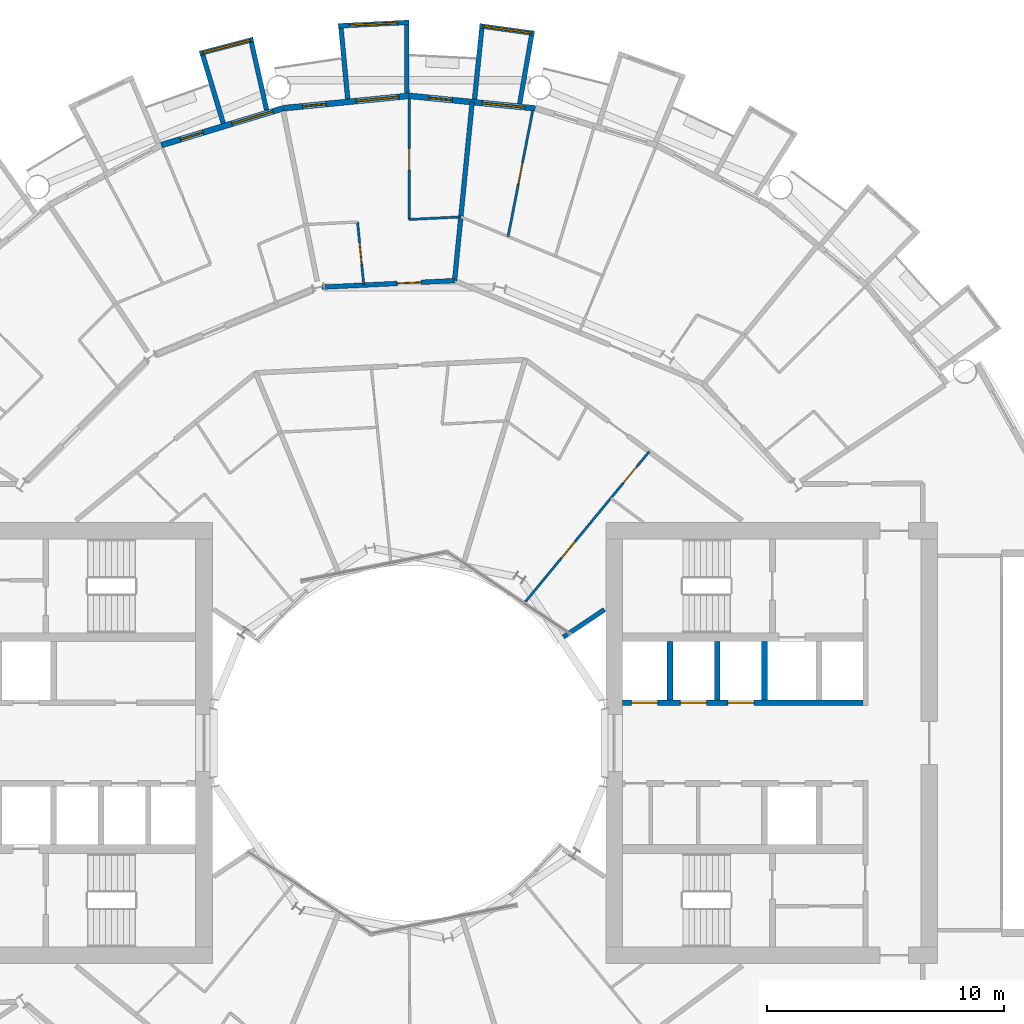
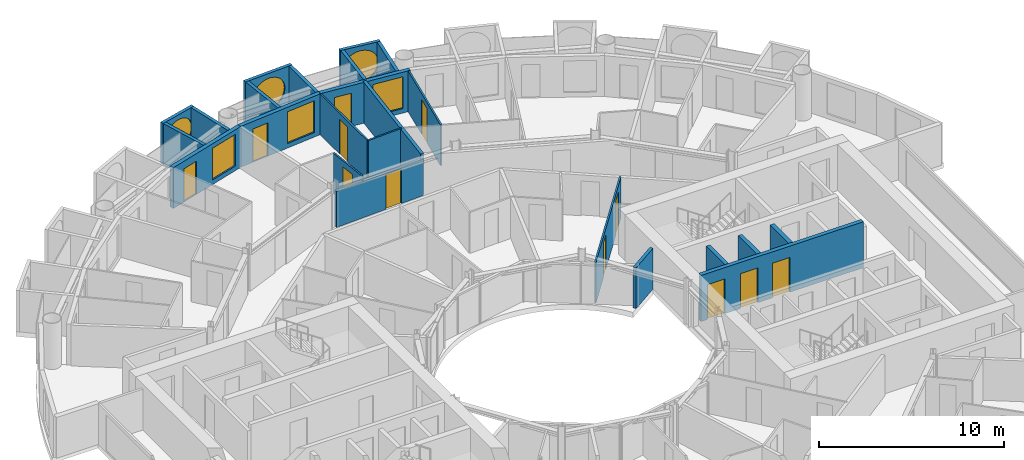
# One storey, part 20 of 26: 24 walls, 12 doors, 6 windows, 18 openings.
"""IFC4 building model written with IfcOpenShell, lengths in metres."""

from ifc_helpers import new_model, si_unit, direction, frame, frame_2d, origin, place, context, subcontext, project, spatial, rectangle, circle, extrude, material, layer, layer_set, type_object, element, fill, save


model = new_model("IFC4")

# Units and contexts
model_context = context("Model", 3, precision=1e-05, world=origin(), true_north=direction((0.0, 1.0)))
body_context = subcontext(model_context, "Body", "Model", "MODEL_VIEW")
ifc_project = project(units=[si_unit("LENGTHUNIT", "METRE"), si_unit("AREAUNIT", "SQUARE_METRE"), si_unit("VOLUMEUNIT", "CUBIC_METRE"), si_unit("PLANEANGLEUNIT", "RADIAN"), si_unit("MASSUNIT", "GRAM", prefix="KILO")], contexts=[model_context])

# Site, building, storey
site_placement = place(None, origin())
site = spatial("IfcSite", under=ifc_project, at=site_placement, CompositionType="ELEMENT")
building_placement = place(site_placement, origin())
building = spatial("IfcBuilding", under=site, at=building_placement, Name="Maasbend Ring Residences", CompositionType="ELEMENT")
storey_placement = place(building_placement, frame((0.0, 0.0, 72.75)))
storey = spatial("IfcBuildingStorey", under=building, at=storey_placement, Name="L20", CompositionType="ELEMENT", Elevation=72.75)

# Wall, openings, doors
ifc_material_1 = material(Name="Concrete C70/85", Category="concrete")
ifc_layer_1 = layer(ifc_material_1, 0.25)
ifc_layer_set_1 = layer_set([ifc_layer_1], Name="Concrete C70/85")
wall_type_1 = type_object("IfcWallType", Name="CORE WALL 250 C70/85", PredefinedType="SHEAR", material=ifc_layer_set_1)
wall_1_placement = place(storey_placement, frame((9.0, 1.699951171875, 0.0), z_axis=(0.0, 0.0, 1.0), x_axis=(1.0, 0.0, 0.0)))
wall_1 = element("IfcWall", 1, at=wall_1_placement, inside=storey, type_object=wall_type_1, Name="L20 core E wall SPN", PredefinedType="SHEAR", context=body_context, shape_type="SweptSolid", body=[
    extrude(rectangle(XDim=10.14990234375, YDim=0.25, at=frame_2d((5.074951171875, 0.0))), origin(), (0.0, 0.0, 1.0), 3.050048828125),
])
opening_1_placement = place(wall_1_placement, frame((0.387451171875, 0.0, 0.0)))
opening_1 = element("IfcOpeningElement", 2, at=opening_1_placement, cuts=wall_1, Name="Opening LD-E2001", PredefinedType="OPENING", context=body_context, shape_type="SweptSolid", body=[
    extrude(rectangle(XDim=1.10009765625, YDim=2.300048828125, at=frame_2d((0.550048828125, 1.14990234375))), frame((0.0, 0.135009765625, 0.0), z_axis=(0.0, -1.0, 0.0), x_axis=(1.0, 0.0, 0.0)), (0.0, 0.0, 1.0), 0.27001953125),
])
opening_2_placement = place(wall_1_placement, frame((2.449951171875, 0.0, 0.0)))
opening_2 = element("IfcOpeningElement", 3, at=opening_2_placement, cuts=wall_1, Name="Opening LD-E2002", PredefinedType="OPENING", context=body_context, shape_type="SweptSolid", body=[
    extrude(rectangle(XDim=1.10009765625, YDim=2.300048828125, at=frame_2d((0.550048828125, 1.14990234375))), frame((0.0, 0.135009765625, 0.0), z_axis=(0.0, -1.0, 0.0), x_axis=(1.0, 0.0, 0.0)), (0.0, 0.0, 1.0), 0.27001953125),
])
opening_3_placement = place(wall_1_placement, frame((4.449951171875, 0.0, 0.0)))
opening_3 = element("IfcOpeningElement", 4, at=opening_3_placement, cuts=wall_1, Name="Opening LD-E2003", PredefinedType="OPENING", context=body_context, shape_type="SweptSolid", body=[
    extrude(rectangle(XDim=1.10009765625, YDim=2.300048828125, at=frame_2d((0.550048828125, 1.14990234375))), frame((0.0, 0.135009765625, 0.0), z_axis=(0.0, -1.0, 0.0), x_axis=(1.0, 0.0, 0.0)), (0.0, 0.0, 1.0), 0.27001953125),
])
ifc_material_2 = material(Name="Stainless steel 316", Category="steel")
door_type_1 = type_object("IfcDoorType", Name="LANDING DOOR 1100 X 2300 FD60", OperationType="DOUBLE_DOOR_SLIDING", PredefinedType="DOOR", material=ifc_material_2)
door_1_placement = place(opening_1_placement, origin())
door_1 = element("IfcDoor", 5, at=door_1_placement, inside=storey, type_object=door_type_1, Name="Landing door LR-E1 L20", OperationType="DOUBLE_DOOR_SLIDING", OverallHeight=2.300048828125, OverallWidth=1.10009765625, PredefinedType="DOOR", context=body_context, shape_type="SweptSolid", body=[
    extrude(rectangle(XDim=1.10009765625, YDim=2.300048828125, at=frame_2d((0.550048828125, 1.14990234375))), frame((0.0, 0.02490234375, 0.0), z_axis=(0.0, -1.0, 0.0), x_axis=(1.0, 0.0, 0.0)), (0.0, 0.0, 1.0), 0.050048828125),
])
fill(opening_1, door_1)
door_2_placement = place(opening_2_placement, origin())
door_2 = element("IfcDoor", 6, at=door_2_placement, inside=storey, type_object=door_type_1, Name="Landing door LR-E2 L20", OperationType="DOUBLE_DOOR_SLIDING", OverallHeight=2.300048828125, OverallWidth=1.10009765625, PredefinedType="DOOR", context=body_context, shape_type="SweptSolid", body=[
    extrude(rectangle(XDim=1.10009765625, YDim=2.300048828125, at=frame_2d((0.550048828125, 1.14990234375))), frame((0.0, 0.02490234375, 0.0), z_axis=(0.0, -1.0, 0.0), x_axis=(1.0, 0.0, 0.0)), (0.0, 0.0, 1.0), 0.050048828125),
])
fill(opening_2, door_2)
door_3_placement = place(opening_3_placement, origin())
door_3 = element("IfcDoor", 7, at=door_3_placement, inside=storey, type_object=door_type_1, Name="Landing door LR-E3 L20", OperationType="DOUBLE_DOOR_SLIDING", OverallHeight=2.300048828125, OverallWidth=1.10009765625, PredefinedType="DOOR", context=body_context, shape_type="SweptSolid", body=[
    extrude(rectangle(XDim=1.10009765625, YDim=2.300048828125, at=frame_2d((0.550048828125, 1.14990234375))), frame((0.0, 0.02490234375, 0.0), z_axis=(0.0, -1.0, 0.0), x_axis=(1.0, 0.0, 0.0)), (0.0, 0.0, 1.0), 0.050048828125),
])
fill(opening_3, door_3)

# Wall, opening, door
ifc_material_3 = material(Name="Concrete C30/37", Category="concrete")
ifc_layer_2 = layer(ifc_material_3, 0.199951171875)
ifc_layer_set_2 = layer_set([ifc_layer_2], Name="Concrete C30/37")
wall_type_2 = type_object("IfcWallType", Name="CORRIDOR WALL 200 CONCRETE", PredefinedType="PARTITIONING", material=ifc_layer_set_2)
wall_2_placement = place(storey_placement, frame((-3.6689453125, 19.23095703125, 0.0), z_axis=(0.0, 0.0, 1.0), x_axis=(0.998803644396, 0.048900715146, 0.0)))
wall_2 = element("IfcWall", 8, at=wall_2_placement, inside=storey, type_object=wall_type_2, Name="U-L20-w101", PredefinedType="PARTITIONING", context=body_context, shape_type="SweptSolid", body=[
    extrude(rectangle(XDim=5.6015625, YDim=0.199951171875, at=frame_2d((2.80078125, 0.0))), origin(), (0.0, 0.0, 1.0), 2.3798828125),
])
opening_4_placement = place(wall_2_placement, frame((3.178955078125, 0.0, 0.0)))
opening_4 = element("IfcOpeningElement", 9, at=opening_4_placement, cuts=wall_2, Name="Opening D-2010", PredefinedType="OPENING", context=body_context, shape_type="SweptSolid", body=[
    extrude(rectangle(XDim=1.0, YDim=2.300048828125, at=frame_2d((0.5, 1.14990234375))), frame((0.0, 0.10986328125, 0.0), z_axis=(0.0, -1.0, 0.0), x_axis=(1.0, 0.0, 0.0)), (0.0, 0.0, 1.0), 0.219970703125),
])
ifc_material_4 = material(Name="Timber, fire-rated, painted", Category="wood")
door_type_2 = type_object("IfcDoorType", Name="FLAT ENTRANCE DOOR 1000 X 2300 FIRE-RATED", OperationType="NOTDEFINED", PredefinedType="DOOR", material=ifc_material_4)
door_4_placement = place(opening_4_placement, origin())
door_4 = element("IfcDoor", 10, at=door_4_placement, inside=storey, type_object=door_type_2, Name="D-2010", OperationType="SINGLE_SWING_RIGHT", OverallHeight=2.300048828125, OverallWidth=1.0, PredefinedType="DOOR", context=body_context, shape_type="SweptSolid", body=[
    extrude(rectangle(XDim=1.0, YDim=2.300048828125, at=frame_2d((0.5, 1.14990234375))), frame((0.0, 0.02490234375, 0.0), z_axis=(0.0, -1.0, 0.0), x_axis=(1.0, 0.0, 0.0)), (0.0, 0.0, 1.0), 0.050048828125),
])
fill(opening_4, door_4)

# Wall, opening, window
ifc_material_5 = material(Name="Pale anodised aluminium panel", Category="aluminium")
ifc_layer_3 = layer(ifc_material_5, 0.199951171875)
ifc_layer_set_3 = layer_set([ifc_layer_3], Name="EW-BOX")
wall_type_3 = type_object("IfcWallType", Name="EW-BOX", PredefinedType="SOLIDWALL", material=ifc_layer_set_3)
wall_3_placement = place(storey_placement, frame((5.2900390625, 29.93603515625, -0.030029296875), z_axis=(0.0, 0.0, 1.0), x_axis=(-0.990696111261, 0.136092671119, 0.0)))
wall_3 = element("IfcWall", 11, at=wall_3_placement, inside=storey, type_object=wall_type_3, Name="Box front N09", PredefinedType="SOLIDWALL", context=body_context, shape_type="SweptSolid", body=[
    extrude(rectangle(XDim=2.335693359375, YDim=0.199951171875, at=frame_2d((1.16796875, 0.0))), origin(), (0.0, 0.0, 1.0), 2.72998046875),
])
opening_5_placement = place(wall_3_placement, frame((0.128173828125, 0.0, 0.330078125)))
opening_5 = element("IfcOpeningElement", 12, at=opening_5_placement, cuts=wall_3, Name="Opening W-RD", PredefinedType="OPENING", context=body_context, shape_type="SweptSolid", body=[
    extrude(circle(Radius=1.0400390625, at=frame_2d((1.0400390625, 1.0400390625))), frame((0.0, 0.10986328125, 0.0), z_axis=(0.0, -1.0, 0.0), x_axis=(1.0, 0.0, 0.0)), (0.0, 0.0, 1.0), 0.219970703125),
])
ifc_material_6 = material(Name="Aluminium and clear glass", Category="aluminium")
window_type_1 = type_object("IfcWindowType", Name="W-RD", PartitioningType="SINGLE_PANEL", PredefinedType="WINDOW", material=ifc_material_6)
window_1_placement = place(opening_5_placement, origin())
window_1 = element("IfcWindow", 13, at=window_1_placement, inside=storey, type_object=window_type_1, Name="Round window N09", OverallHeight=2.080078125, OverallWidth=2.080078125, PartitioningType="SINGLE_PANEL", PredefinedType="WINDOW", context=body_context, shape_type="SweptSolid", body=[
    extrude(circle(Radius=1.0400390625, at=frame_2d((1.0400390625, 1.0400390625))), frame((0.0, 0.030029296875, 0.0), z_axis=(0.0, -1.0, 0.0), x_axis=(1.0, 0.0, 0.0)), (0.0, 0.0, 1.0), 0.06005859375),
])
fill(opening_5, window_1)

# Walls
wall_4_placement = place(storey_placement, frame((4.6708984375, 26.966064453125, -0.030029296875), z_axis=(0.0, 0.0, 1.0), x_axis=(0.170539878907, 0.985350774954, 0.0)))
element("IfcWall", 14, at=wall_4_placement, inside=storey, type_object=wall_type_3, Name="Box side wall N09 left", PredefinedType="SOLIDWALL", context=body_context, shape_type="SweptSolid", body=[
    extrude(rectangle(XDim=2.931884765625, YDim=0.199951171875, at=frame_2d((1.4658203125, 0.0))), origin(), (0.0, 0.0, 1.0), 2.72998046875),
])
wall_5_placement = place(storey_placement, frame((2.763916015625, 27.153076171875, -0.030029296875), z_axis=(0.0, 0.0, 1.0), x_axis=(0.101505487237, 0.994834979311, 0.0)))
element("IfcWall", 15, at=wall_5_placement, inside=storey, type_object=wall_type_3, Name="Box side wall N09 right", PredefinedType="SOLIDWALL", context=body_context, shape_type="SweptSolid", body=[
    extrude(rectangle(XDim=3.006591796875, YDim=0.199951171875, at=frame_2d((1.50341796875, 0.0))), origin(), (0.0, 0.0, 1.0), 2.72998046875),
])

# Wall, opening, window
wall_6_placement = place(storey_placement, frame((0.0048828125, 30.39990234375, -0.030029296875), z_axis=(0.0, 0.0, 1.0), x_axis=(-0.998794083011, -0.049095618353, 0.0)))
wall_6 = element("IfcWall", 16, at=wall_6_placement, inside=storey, type_object=wall_type_3, Name="Box front N11", PredefinedType="SOLIDWALL", context=body_context, shape_type="SweptSolid", body=[
    extrude(rectangle(XDim=2.99365234375, YDim=0.199951171875, at=frame_2d((1.496826171875, 0.0))), origin(), (0.0, 0.0, 1.0), 2.72998046875),
])
opening_6_placement = place(wall_6_placement, frame((0.45654296875, 0.0, 0.330078125)))
opening_6 = element("IfcOpeningElement", 17, at=opening_6_placement, cuts=wall_6, Name="Opening W-RD", PredefinedType="OPENING", context=body_context, shape_type="SweptSolid", body=[
    extrude(circle(Radius=1.0400390625, at=frame_2d((1.0400390625, 1.0400390625))), frame((0.0, 0.10986328125, 0.0), z_axis=(0.0, -1.0, 0.0), x_axis=(1.0, 0.0, 0.0)), (0.0, 0.0, 1.0), 0.219970703125),
])
window_2_placement = place(opening_6_placement, origin())
window_2 = element("IfcWindow", 18, at=window_2_placement, inside=storey, type_object=window_type_1, Name="Round window N11", OverallHeight=2.080078125, OverallWidth=2.080078125, PartitioningType="SINGLE_PANEL", PredefinedType="WINDOW", context=body_context, shape_type="SweptSolid", body=[
    extrude(circle(Radius=1.0400390625, at=frame_2d((1.0400390625, 1.0400390625))), frame((0.0, 0.030029296875, 0.0), z_axis=(0.0, -1.0, 0.0), x_axis=(1.0, 0.0, 0.0)), (0.0, 0.0, 1.0), 0.06005859375),
])
fill(opening_6, window_2)

# Walls
wall_7_placement = place(storey_placement, frame((-0.090087890625, 27.4169921875, -0.030029296875), z_axis=(0.0, 0.0, 1.0), x_axis=(-0.00347308367, 0.999993968827, 0.0)))
element("IfcWall", 19, at=wall_7_placement, inside=storey, type_object=wall_type_3, Name="Box side wall N11 left", PredefinedType="SOLIDWALL", context=body_context, shape_type="SweptSolid", body=[
    extrude(rectangle(XDim=2.882080078125, YDim=0.199951171875, at=frame_2d((1.44091796875, 0.0))), origin(), (0.0, 0.0, 1.0), 2.72998046875),
])
wall_8_placement = place(storey_placement, frame((-2.5859375, 27.1708984375, -0.030029296875), z_axis=(0.0, 0.0, 1.0), x_axis=(-0.094548432284, 0.995520262954, 0.0)))
element("IfcWall", 20, at=wall_8_placement, inside=storey, type_object=wall_type_3, Name="Box side wall N11 right", PredefinedType="SOLIDWALL", context=body_context, shape_type="SweptSolid", body=[
    extrude(rectangle(XDim=3.005615234375, YDim=0.199951171875, at=frame_2d((1.5029296875, 0.0))), origin(), (0.0, 0.0, 1.0), 2.72998046875),
])

# Wall, opening, window
wall_9_placement = place(storey_placement, frame((-6.568115234375, 29.681884765625, -0.030029296875), z_axis=(0.0, 0.0, 1.0), x_axis=(-0.967377102346, -0.253340762326, 0.0)))
wall_9 = element("IfcWall", 21, at=wall_9_placement, inside=storey, type_object=wall_type_3, Name="Box front N13", PredefinedType="SOLIDWALL", context=body_context, shape_type="SweptSolid", body=[
    extrude(rectangle(XDim=2.3359375, YDim=0.199951171875, at=frame_2d((1.16796875, 0.0))), origin(), (0.0, 0.0, 1.0), 2.72998046875),
])
opening_7_placement = place(wall_9_placement, frame((0.128173828125, 0.0, 0.330078125)))
opening_7 = element("IfcOpeningElement", 22, at=opening_7_placement, cuts=wall_9, Name="Opening W-RD", PredefinedType="OPENING", context=body_context, shape_type="SweptSolid", body=[
    extrude(circle(Radius=1.0400390625, at=frame_2d((1.0400390625, 1.0400390625))), frame((0.0, 0.10986328125, 0.0), z_axis=(0.0, -1.0, 0.0), x_axis=(1.0, 0.0, 0.0)), (0.0, 0.0, 1.0), 0.219970703125),
])
window_3_placement = place(opening_7_placement, origin())
window_3 = element("IfcWindow", 23, at=window_3_placement, inside=storey, type_object=window_type_1, Name="Round window N13", OverallHeight=2.080078125, OverallWidth=2.080078125, PartitioningType="SINGLE_PANEL", PredefinedType="WINDOW", context=body_context, shape_type="SweptSolid", body=[
    extrude(circle(Radius=1.0400390625, at=frame_2d((1.0400390625, 1.0400390625))), frame((0.0, 0.030029296875, 0.0), z_axis=(0.0, -1.0, 0.0), x_axis=(1.0, 0.0, 0.0)), (0.0, 0.0, 1.0), 0.06005859375),
])
fill(opening_7, window_3)

# Walls
wall_10_placement = place(storey_placement, frame((-6.00390625, 26.699951171875, -0.030029296875), z_axis=(0.0, 0.0, 1.0), x_axis=(-0.219609259383, 0.975587911566, 0.0)))
element("IfcWall", 24, at=wall_10_placement, inside=storey, type_object=wall_type_3, Name="Box side wall N13 left", PredefinedType="SOLIDWALL", context=body_context, shape_type="SweptSolid", body=[
    extrude(rectangle(XDim=2.9326171875, YDim=0.199951171875, at=frame_2d((1.46630859375, 0.0))), origin(), (0.0, 0.0, 1.0), 2.72998046875),
])
wall_11_placement = place(storey_placement, frame((-7.8369140625, 26.14404296875, -0.030029296875), z_axis=(0.0, 0.0, 1.0), x_axis=(-0.287064767992, 0.957911174889, 0.0)))
element("IfcWall", 25, at=wall_11_placement, inside=storey, type_object=wall_type_3, Name="Box side wall N13 right", PredefinedType="SOLIDWALL", context=body_context, shape_type="SweptSolid", body=[
    extrude(rectangle(XDim=3.00634765625, YDim=0.199951171875, at=frame_2d((1.503173828125, 0.0))), origin(), (0.0, 0.0, 1.0), 2.72998046875),
])

# Wall, openings, door, window
ifc_material_7 = material(Name="Aluminium clad insulated panel", Category="aluminium")
ifc_layer_4 = layer(ifc_material_7, 0.25)
ifc_layer_set_4 = layer_set([ifc_layer_4], Name="EW-GL")
wall_type_4 = type_object("IfcWallType", Name="EW-GL", PredefinedType="SOLIDWALL", material=ifc_layer_set_4)
wall_12_placement = place(storey_placement, frame((5.325927734375, 26.77490234375, 0.0), z_axis=(0.0, 0.0, 1.0), x_axis=(-0.995173996315, 0.098126026407, 0.0)))
wall_12 = element("IfcWall", 26, at=wall_12_placement, inside=storey, type_object=wall_type_4, Name="External wall N05", PredefinedType="SOLIDWALL", context=body_context, shape_type="SweptSolid", body=[
    extrude(rectangle(XDim=5.351806640625, YDim=0.25, at=frame_2d((2.67578125, 0.0))), origin(), (0.0, 0.0, 1.0), 2.699951171875),
])
opening_8_placement = place(wall_12_placement, frame((0.441162109375, 0.0, 0.300048828125)))
opening_8 = element("IfcOpeningElement", 27, at=opening_8_placement, cuts=wall_12, Name="Opening W-BX", PredefinedType="OPENING", context=body_context, shape_type="SweptSolid", body=[
    extrude(rectangle(XDim=1.800048828125, YDim=2.10009765625, at=frame_2d((0.89990234375, 1.050048828125))), frame((0.0, 0.135009765625, 0.0), z_axis=(0.0, -1.0, 0.0), x_axis=(1.0, 0.0, 0.0)), (0.0, 0.0, 1.0), 0.27001953125),
])
opening_9_placement = place(wall_12_placement, frame((3.510498046875, 0.0, 0.0)))
opening_9 = element("IfcOpeningElement", 28, at=opening_9_placement, cuts=wall_12, Name="Opening D-LG", PredefinedType="OPENING", context=body_context, shape_type="SweptSolid", body=[
    extrude(rectangle(XDim=1.0, YDim=2.199951171875, at=frame_2d((0.5, 1.10009765625))), frame((0.0, 0.135009765625, 0.0), z_axis=(0.0, -1.0, 0.0), x_axis=(1.0, 0.0, 0.0)), (0.0, 0.0, 1.0), 0.27001953125),
])
ifc_material_8 = material(Name="Aluminium and clear glass", Category="aluminium")
door_type_3 = type_object("IfcDoorType", Name="D-LG", OperationType="SINGLE_SWING_LEFT", PredefinedType="DOOR", material=ifc_material_8)
door_5_placement = place(opening_9_placement, origin())
door_5 = element("IfcDoor", 29, at=door_5_placement, inside=storey, type_object=door_type_3, Name="Loggia door N10", OperationType="SINGLE_SWING_LEFT", OverallHeight=2.199951171875, OverallWidth=1.0, PredefinedType="DOOR", context=body_context, shape_type="SweptSolid", body=[
    extrude(rectangle(XDim=1.0, YDim=2.199951171875, at=frame_2d((0.5, 1.10009765625))), frame((0.0, 0.02490234375, 0.0), z_axis=(0.0, -1.0, 0.0), x_axis=(1.0, 0.0, 0.0)), (0.0, 0.0, 1.0), 0.050048828125),
])
fill(opening_9, door_5)
ifc_material_9 = material(Name="Aluminium and clear glass", Category="aluminium")
window_type_2 = type_object("IfcWindowType", Name="W-BX", PartitioningType="DOUBLE_PANEL_VERTICAL", PredefinedType="WINDOW", material=ifc_material_9)
window_4_placement = place(opening_8_placement, origin())
window_4 = element("IfcWindow", 30, at=window_4_placement, inside=storey, type_object=window_type_2, Name="Window N09 room to box", OverallHeight=2.10009765625, OverallWidth=1.800048828125, PartitioningType="SINGLE_PANEL", PredefinedType="WINDOW", context=body_context, shape_type="SweptSolid", body=[
    extrude(rectangle(XDim=1.800048828125, YDim=2.10009765625, at=frame_2d((0.89990234375, 1.050048828125))), frame((0.0, 0.030029296875, 0.0), z_axis=(0.0, -1.0, 0.0), x_axis=(1.0, 0.0, 0.0)), (0.0, 0.0, 1.0), 0.06005859375),
])
fill(opening_8, window_4)

wall_13_placement = place(storey_placement, frame((0.0, 27.300048828125, 0.0), z_axis=(0.0, 0.0, 1.0), x_axis=(-0.995173996315, -0.098126026407, 0.0)))
wall_13 = element("IfcWall", 31, at=wall_13_placement, inside=storey, type_object=wall_type_4, Name="External wall N06", PredefinedType="SOLIDWALL", context=body_context, shape_type="SweptSolid", body=[
    extrude(rectangle(XDim=5.351806640625, YDim=0.25, at=frame_2d((2.67578125, 0.0))), origin(), (0.0, 0.0, 1.0), 2.699951171875),
])
opening_10_placement = place(wall_13_placement, frame((0.441162109375, 0.0, 0.300048828125)))
opening_10 = element("IfcOpeningElement", 32, at=opening_10_placement, cuts=wall_13, Name="Opening W-BX", PredefinedType="OPENING", context=body_context, shape_type="SweptSolid", body=[
    extrude(rectangle(XDim=1.800048828125, YDim=2.10009765625, at=frame_2d((0.89990234375, 1.050048828125))), frame((0.0, 0.135009765625, 0.0), z_axis=(0.0, -1.0, 0.0), x_axis=(1.0, 0.0, 0.0)), (0.0, 0.0, 1.0), 0.27001953125),
])
opening_11_placement = place(wall_13_placement, frame((3.510498046875, 0.0, 0.0)))
opening_11 = element("IfcOpeningElement", 33, at=opening_11_placement, cuts=wall_13, Name="Opening D-LG", PredefinedType="OPENING", context=body_context, shape_type="SweptSolid", body=[
    extrude(rectangle(XDim=1.0, YDim=2.199951171875, at=frame_2d((0.5, 1.10009765625))), frame((0.0, 0.135009765625, 0.0), z_axis=(0.0, -1.0, 0.0), x_axis=(1.0, 0.0, 0.0)), (0.0, 0.0, 1.0), 0.27001953125),
])
door_6_placement = place(opening_11_placement, origin())
door_6 = element("IfcDoor", 34, at=door_6_placement, inside=storey, type_object=door_type_3, Name="Loggia door N12", OperationType="SINGLE_SWING_LEFT", OverallHeight=2.199951171875, OverallWidth=1.0, PredefinedType="DOOR", context=body_context, shape_type="SweptSolid", body=[
    extrude(rectangle(XDim=1.0, YDim=2.199951171875, at=frame_2d((0.5, 1.10009765625))), frame((0.0, 0.02490234375, 0.0), z_axis=(0.0, -1.0, 0.0), x_axis=(1.0, 0.0, 0.0)), (0.0, 0.0, 1.0), 0.050048828125),
])
fill(opening_11, door_6)
window_5_placement = place(opening_10_placement, origin())
window_5 = element("IfcWindow", 35, at=window_5_placement, inside=storey, type_object=window_type_2, Name="Window N11 room to box", OverallHeight=2.10009765625, OverallWidth=1.800048828125, PartitioningType="SINGLE_PANEL", PredefinedType="WINDOW", context=body_context, shape_type="SweptSolid", body=[
    extrude(rectangle(XDim=1.800048828125, YDim=2.10009765625, at=frame_2d((0.89990234375, 1.050048828125))), frame((0.0, 0.030029296875, 0.0), z_axis=(0.0, -1.0, 0.0), x_axis=(1.0, 0.0, 0.0)), (0.0, 0.0, 1.0), 0.06005859375),
])
fill(opening_10, window_5)

wall_14_placement = place(storey_placement, frame((-5.325927734375, 26.77490234375, 0.0), z_axis=(0.0, 0.0, 1.0), x_axis=(-0.956965678721, -0.290201119486, 0.0)))
wall_14 = element("IfcWall", 36, at=wall_14_placement, inside=storey, type_object=wall_type_4, Name="External wall N07", PredefinedType="SOLIDWALL", context=body_context, shape_type="SweptSolid", body=[
    extrude(rectangle(XDim=5.351318359375, YDim=0.25, at=frame_2d((2.67578125, 0.0))), origin(), (0.0, 0.0, 1.0), 2.699951171875),
])
opening_12_placement = place(wall_14_placement, frame((0.441162109375, 0.0, 0.300048828125)))
opening_12 = element("IfcOpeningElement", 37, at=opening_12_placement, cuts=wall_14, Name="Opening W-BX", PredefinedType="OPENING", context=body_context, shape_type="SweptSolid", body=[
    extrude(rectangle(XDim=1.800048828125, YDim=2.10009765625, at=frame_2d((0.89990234375, 1.050048828125))), frame((0.0, 0.135009765625, 0.0), z_axis=(0.0, -1.0, 0.0), x_axis=(1.0, 0.0, 0.0)), (0.0, 0.0, 1.0), 0.27001953125),
])
opening_13_placement = place(wall_14_placement, frame((3.510498046875, 0.0, 0.0)))
opening_13 = element("IfcOpeningElement", 38, at=opening_13_placement, cuts=wall_14, Name="Opening D-LG", PredefinedType="OPENING", context=body_context, shape_type="SweptSolid", body=[
    extrude(rectangle(XDim=1.0, YDim=2.199951171875, at=frame_2d((0.5, 1.10009765625))), frame((0.0, 0.135009765625, 0.0), z_axis=(0.0, -1.0, 0.0), x_axis=(1.0, 0.0, 0.0)), (0.0, 0.0, 1.0), 0.27001953125),
])
door_7_placement = place(opening_13_placement, origin())
door_7 = element("IfcDoor", 39, at=door_7_placement, inside=storey, type_object=door_type_3, Name="Loggia door N14", OperationType="SINGLE_SWING_LEFT", OverallHeight=2.199951171875, OverallWidth=1.0, PredefinedType="DOOR", context=body_context, shape_type="SweptSolid", body=[
    extrude(rectangle(XDim=1.0, YDim=2.199951171875, at=frame_2d((0.5, 1.10009765625))), frame((0.0, 0.02490234375, 0.0), z_axis=(0.0, -1.0, 0.0), x_axis=(1.0, 0.0, 0.0)), (0.0, 0.0, 1.0), 0.050048828125),
])
fill(opening_13, door_7)
window_6_placement = place(opening_12_placement, origin())
window_6 = element("IfcWindow", 40, at=window_6_placement, inside=storey, type_object=window_type_2, Name="Window N13 room to box", OverallHeight=2.10009765625, OverallWidth=1.800048828125, PartitioningType="SINGLE_PANEL", PredefinedType="WINDOW", context=body_context, shape_type="SweptSolid", body=[
    extrude(rectangle(XDim=1.800048828125, YDim=2.10009765625, at=frame_2d((0.89990234375, 1.050048828125))), frame((0.0, 0.030029296875, 0.0), z_axis=(0.0, -1.0, 0.0), x_axis=(1.0, 0.0, 0.0)), (0.0, 0.0, 1.0), 0.06005859375),
])
fill(opening_12, window_6)

# Wall, opening, door
ifc_material_10 = material(Name="Gypsum board on steel studs", Category="steel")
ifc_layer_5 = layer(ifc_material_10, 0.10009765625)
ifc_layer_set_5 = layer_set([ifc_layer_5], Name="PARTITION 100 GYPSUM")
wall_type_5 = type_object("IfcWallType", Name="PARTITION 100 GYPSUM", PredefinedType="PARTITIONING", material=ifc_layer_set_5)
wall_15_placement = place(storey_placement, frame((-2.172119140625, 21.97900390625, 0.0), z_axis=(0.0, 0.0, 1.0), x_axis=(0.098383180323, -0.995148606907, 0.0)))
wall_15 = element("IfcWall", 41, at=wall_15_placement, inside=storey, type_object=wall_type_5, Name="U-L20-w056", PredefinedType="PARTITIONING", context=body_context, shape_type="SweptSolid", body=[
    extrude(rectangle(XDim=2.675048828125, YDim=0.10009765625, at=frame_2d((1.33740234375, 0.0))), origin(), (0.0, 0.0, 1.0), 2.699951171875),
])
opening_14_placement = place(wall_15_placement, frame((0.886962890625, 0.0, 0.0)))
opening_14 = element("IfcOpeningElement", 42, at=opening_14_placement, cuts=wall_15, Name="Opening D-2011", PredefinedType="OPENING", context=body_context, shape_type="SweptSolid", body=[
    extrude(rectangle(XDim=0.89990234375, YDim=2.300048828125, at=frame_2d((0.449951171875, 1.14990234375))), frame((0.0, 0.06005859375, 0.0), z_axis=(0.0, -1.0, 0.0), x_axis=(1.0, 0.0, 0.0)), (0.0, 0.0, 1.0), 0.1201171875),
])
ifc_material_11 = material(Name="Timber, painted", Category="wood")
door_type_4 = type_object("IfcDoorType", Name="INTERNAL DOOR 900 X 2300", OperationType="NOTDEFINED", PredefinedType="DOOR", material=ifc_material_11)
door_8_placement = place(opening_14_placement, origin())
door_8 = element("IfcDoor", 43, at=door_8_placement, inside=storey, type_object=door_type_4, Name="D-2011", OperationType="SINGLE_SWING_RIGHT", OverallHeight=2.300048828125, OverallWidth=0.89990234375, PredefinedType="DOOR", context=body_context, shape_type="SweptSolid", body=[
    extrude(rectangle(XDim=0.89990234375, YDim=2.300048828125, at=frame_2d((0.449951171875, 1.14990234375))), frame((0.0, 0.02490234375, 0.0), z_axis=(0.0, -1.0, 0.0), x_axis=(1.0, 0.0, 0.0)), (0.0, 0.0, 1.0), 0.050048828125),
])
fill(opening_14, door_8)

wall_16_placement = place(storey_placement, frame((0.007080078125, 22.0859375, 0.0), z_axis=(0.0, 0.0, 1.0), x_axis=(0.000383785052, 0.999999926355, 0.0)))
wall_16 = element("IfcWall", 44, at=wall_16_placement, inside=storey, type_object=wall_type_5, Name="U-L20-w060", PredefinedType="PARTITIONING", context=body_context, shape_type="SweptSolid", body=[
    extrude(rectangle(XDim=5.089111328125, YDim=0.10009765625, at=frame_2d((2.54443359375, 0.0))), origin(), (0.0, 0.0, 1.0), 2.699951171875),
])
opening_15_placement = place(wall_16_placement, frame((2.094970703125, 0.0, 0.0)))
opening_15 = element("IfcOpeningElement", 45, at=opening_15_placement, cuts=wall_16, Name="Opening D-2012", PredefinedType="OPENING", context=body_context, shape_type="SweptSolid", body=[
    extrude(rectangle(XDim=0.89990234375, YDim=2.300048828125, at=frame_2d((0.449951171875, 1.14990234375))), frame((0.0, 0.06005859375, 0.0), z_axis=(0.0, -1.0, 0.0), x_axis=(1.0, 0.0, 0.0)), (0.0, 0.0, 1.0), 0.1201171875),
])
door_9_placement = place(opening_15_placement, origin())
door_9 = element("IfcDoor", 46, at=door_9_placement, inside=storey, type_object=door_type_4, Name="D-2012", OperationType="SINGLE_SWING_RIGHT", OverallHeight=2.300048828125, OverallWidth=0.89990234375, PredefinedType="DOOR", context=body_context, shape_type="SweptSolid", body=[
    extrude(rectangle(XDim=0.89990234375, YDim=2.300048828125, at=frame_2d((0.449951171875, 1.14990234375))), frame((0.0, 0.02490234375, 0.0), z_axis=(0.0, -1.0, 0.0), x_axis=(1.0, 0.0, 0.0)), (0.0, 0.0, 1.0), 0.050048828125),
])
fill(opening_15, door_9)

wall_17_placement = place(storey_placement, frame((4.178955078125, 21.366943359375, 0.0), z_axis=(0.0, 0.0, 1.0), x_axis=(0.192109041462, 0.981373586453, 0.0)))
wall_17 = element("IfcWall", 47, at=wall_17_placement, inside=storey, type_object=wall_type_5, Name="U-L20-w068", PredefinedType="PARTITIONING", context=body_context, shape_type="SweptSolid", body=[
    extrude(rectangle(XDim=5.403564453125, YDim=0.10009765625, at=frame_2d((2.70166015625, 0.0))), origin(), (0.0, 0.0, 1.0), 2.699951171875),
])
opening_16_placement = place(wall_17_placement, frame((2.251953125, 0.0, 0.0)))
opening_16 = element("IfcOpeningElement", 48, at=opening_16_placement, cuts=wall_17, Name="Opening D-2009", PredefinedType="OPENING", context=body_context, shape_type="SweptSolid", body=[
    extrude(rectangle(XDim=0.89990234375, YDim=2.300048828125, at=frame_2d((0.449951171875, 1.14990234375))), frame((0.0, 0.06005859375, 0.0), z_axis=(0.0, -1.0, 0.0), x_axis=(1.0, 0.0, 0.0)), (0.0, 0.0, 1.0), 0.1201171875),
])
door_10_placement = place(opening_16_placement, origin())
door_10 = element("IfcDoor", 49, at=door_10_placement, inside=storey, type_object=door_type_4, Name="D-2009", OperationType="SINGLE_SWING_RIGHT", OverallHeight=2.300048828125, OverallWidth=0.89990234375, PredefinedType="DOOR", context=body_context, shape_type="SweptSolid", body=[
    extrude(rectangle(XDim=0.89990234375, YDim=2.300048828125, at=frame_2d((0.449951171875, 1.14990234375))), frame((0.0, 0.02490234375, 0.0), z_axis=(0.0, -1.0, 0.0), x_axis=(1.0, 0.0, 0.0)), (0.0, 0.0, 1.0), 0.050048828125),
])
fill(opening_16, door_10)

# Wall, openings, doors
wall_18_placement = place(storey_placement, frame((4.908935546875, 5.9580078125, 0.0), z_axis=(0.0, 0.0, 1.0), x_axis=(0.635976043025, 0.771708800454, 0.0)))
wall_18 = element("IfcWall", 50, at=wall_18_placement, inside=storey, type_object=wall_type_5, Name="U-L20-w070", PredefinedType="PARTITIONING", context=body_context, shape_type="SweptSolid", body=[
    extrude(rectangle(XDim=8.212890625, YDim=0.10009765625, at=frame_2d((4.1064453125, 0.0))), origin(), (0.0, 0.0, 1.0), 2.699951171875),
])
opening_17_placement = place(wall_18_placement, frame((6.489990234375, 0.0, 0.0)))
opening_17 = element("IfcOpeningElement", 51, at=opening_17_placement, cuts=wall_18, Name="Opening D-2023", PredefinedType="OPENING", context=body_context, shape_type="SweptSolid", body=[
    extrude(rectangle(XDim=0.89990234375, YDim=2.300048828125, at=frame_2d((0.449951171875, 1.14990234375))), frame((0.0, 0.06005859375, 0.0), z_axis=(0.0, -1.0, 0.0), x_axis=(1.0, 0.0, 0.0)), (0.0, 0.0, 1.0), 0.1201171875),
])
opening_18_placement = place(wall_18_placement, frame((2.384033203125, 0.0, 0.0)))
opening_18 = element("IfcOpeningElement", 52, at=opening_18_placement, cuts=wall_18, Name="Opening D-2024", PredefinedType="OPENING", context=body_context, shape_type="SweptSolid", body=[
    extrude(rectangle(XDim=0.89990234375, YDim=2.300048828125, at=frame_2d((0.449951171875, 1.14990234375))), frame((0.0, 0.06005859375, 0.0), z_axis=(0.0, -1.0, 0.0), x_axis=(1.0, 0.0, 0.0)), (0.0, 0.0, 1.0), 0.1201171875),
])
door_11_placement = place(opening_17_placement, origin())
door_11 = element("IfcDoor", 53, at=door_11_placement, inside=storey, type_object=door_type_4, Name="D-2023", OperationType="SINGLE_SWING_RIGHT", OverallHeight=2.300048828125, OverallWidth=0.89990234375, PredefinedType="DOOR", context=body_context, shape_type="SweptSolid", body=[
    extrude(rectangle(XDim=0.89990234375, YDim=2.300048828125, at=frame_2d((0.449951171875, 1.14990234375))), frame((0.0, 0.02490234375, 0.0), z_axis=(0.0, -1.0, 0.0), x_axis=(1.0, 0.0, 0.0)), (0.0, 0.0, 1.0), 0.050048828125),
])
fill(opening_17, door_11)
door_12_placement = place(opening_18_placement, origin())
door_12 = element("IfcDoor", 54, at=door_12_placement, inside=storey, type_object=door_type_4, Name="D-2024", OperationType="SINGLE_SWING_LEFT", OverallHeight=2.300048828125, OverallWidth=0.89990234375, PredefinedType="DOOR", context=body_context, shape_type="SweptSolid", body=[
    extrude(rectangle(XDim=0.89990234375, YDim=2.300048828125, at=frame_2d((0.449951171875, 1.14990234375))), frame((0.0, 0.02490234375, 0.0), z_axis=(0.0, -1.0, 0.0), x_axis=(1.0, 0.0, 0.0)), (0.0, 0.0, 1.0), 0.050048828125),
])
fill(opening_18, door_12)

# Walls
wall_19_placement = place(storey_placement, frame((0.007080078125, 22.0859375, 0.0), z_axis=(0.0, 0.0, 1.0), x_axis=(0.998792477005, 0.049128279821, 0.0)))
element("IfcWall", 55, at=wall_19_placement, inside=storey, type_object=wall_type_5, Name="U-L20-w112", PredefinedType="PARTITIONING", context=body_context, shape_type="SweptSolid", body=[
    extrude(rectangle(XDim=2.181640625, YDim=0.10009765625, at=frame_2d((1.0908203125, 0.0))), origin(), (0.0, 0.0, 1.0), 2.699951171875),
])
ifc_material_12 = material(Name="Concrete C30/37", Category="concrete")
ifc_layer_6 = layer(ifc_material_12, 0.199951171875)
ifc_layer_set_6 = layer_set([ifc_layer_6], Name="Concrete C30/37")
wall_type_6 = type_object("IfcWallType", Name="PARTY WALL 200 CONCRETE", PredefinedType="PARTITIONING", material=ifc_layer_set_6)
wall_20_placement = place(storey_placement, frame((1.9208984375, 19.506103515625, 0.0), z_axis=(0.0, 0.0, 1.0), x_axis=(0.098115395479, 0.995175044487, 0.0)))
element("IfcWall", 56, at=wall_20_placement, inside=storey, type_object=wall_type_6, Name="U-L20-w063", PredefinedType="PARTITIONING", context=body_context, shape_type="SweptSolid", body=[
    extrude(rectangle(XDim=7.574462890625, YDim=0.199951171875, at=frame_2d((3.787109375, 0.0))), origin(), (0.0, 0.0, 1.0), 2.699951171875),
])
wall_21_placement = place(storey_placement, frame((6.512939453125, 4.471923828125, 0.0), z_axis=(0.0, 0.0, 1.0), x_axis=(0.831382204863, 0.555701025225, 0.0)))
element("IfcWall", 57, at=wall_21_placement, inside=storey, type_object=wall_type_6, Name="U-L20-w086", PredefinedType="PARTITIONING", context=body_context, shape_type="SweptSolid", body=[
    extrude(rectangle(XDim=2.08203125, YDim=0.199951171875, at=frame_2d((1.041015625, 0.0))), origin(), (0.0, 0.0, 1.0), 2.699951171875),
])
ifc_material_13 = material(Name="Concrete C30/37", Category="concrete")
ifc_layer_7 = layer(ifc_material_13, 0.25)
ifc_layer_set_7 = layer_set([ifc_layer_7], Name="Concrete C30/37")
wall_type_7 = type_object("IfcWallType", Name="SHAFT WALL 250 EI 120", PredefinedType="SOLIDWALL", material=ifc_layer_set_7)
for number, where, z_axis, x_axis, name in (
    (58, (15.0, 1.824951171875, 0.0), (0.0, 0.0, 1.0), (0.0, 1.0, 0.0), "L20 core E wall D150N"),
    (59, (11.0, 1.824951171875, 0.0), (0.0, 0.0, 1.0), (0.0, 1.0, 0.0), "L20 core E wall D110N"),
    (60, (13.0, 1.824951171875, 0.0), (0.0, 0.0, 1.0), (0.0, 1.0, 0.0), "L20 core E wall D130N"),
):
    element("IfcWall", number, at=place(storey_placement, frame(where, z_axis=z_axis, x_axis=x_axis)), inside=storey, type_object=wall_type_7, Name=name, PredefinedType="SOLIDWALL", context=body_context, shape_type="SweptSolid", body=[
        extrude(rectangle(XDim=2.449951171875, YDim=0.25, at=frame_2d((1.22509765625, 0.0))), origin(), (0.0, 0.0, 1.0), 2.699951171875),
    ])

save(model, "model.ifc")
